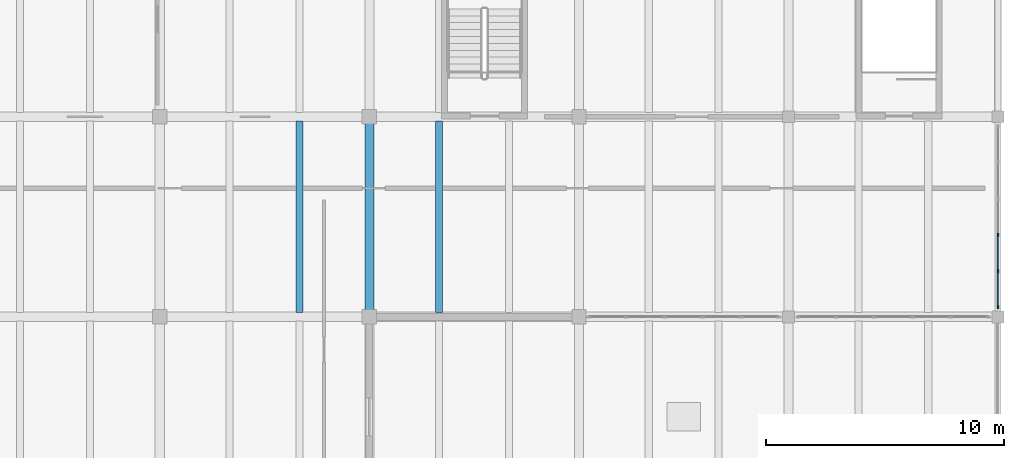
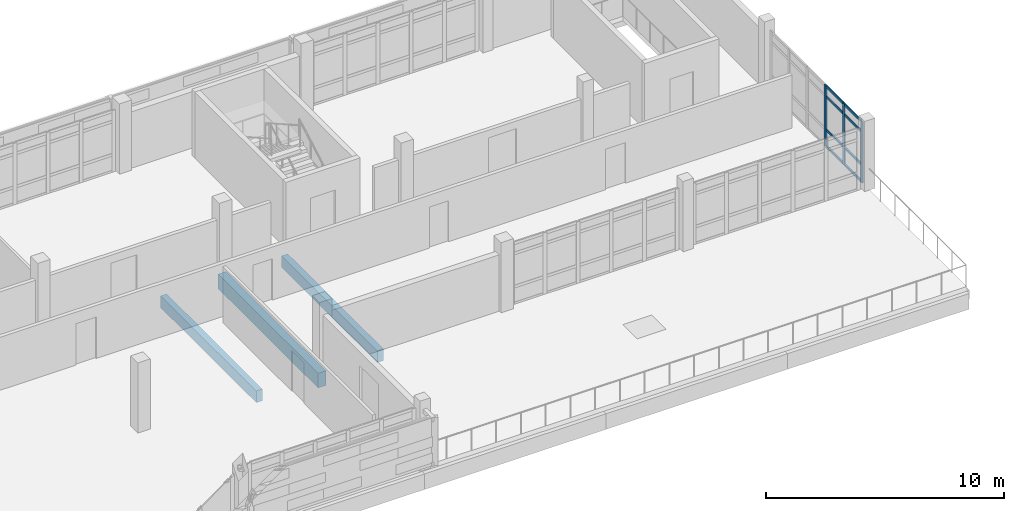
# One storey, part 30 of 50: 11 members, 3 beams, 1 element without a shape of its own.
"""IFC4 building model written with IfcOpenShell, lengths in metres."""

from ifc_helpers import new_model, si_unit, direction, frame, origin, origin_2d, place, context, subcontext, project, spatial, rectangle, extrude, material, material_profile, profile_set, type_object, element, aggregate, save


model = new_model("IFC4")

# Units and contexts
model_context = context("Model", 3, precision=1e-05, world=origin(), true_north=direction((0.0, 1.0)))
body_context = subcontext(model_context, "Body", "Model", "MODEL_VIEW")
ifc_project = project(units=[si_unit("LENGTHUNIT", "METRE"), si_unit("AREAUNIT", "SQUARE_METRE"), si_unit("VOLUMEUNIT", "CUBIC_METRE"), si_unit("PLANEANGLEUNIT", "RADIAN"), si_unit("MASSUNIT", "GRAM", prefix="KILO")], contexts=[model_context])

# Site, building, storey
site_placement = place(None, origin())
site = spatial("IfcSite", under=ifc_project, at=site_placement, CompositionType="ELEMENT")
building_placement = place(site_placement, origin())
building = spatial("IfcBuilding", under=site, at=building_placement, Name="Cinderway Yard Community Centre", CompositionType="ELEMENT")
storey_placement = place(building_placement, frame((0.0, 0.0, 12.89990234375)))
storey = spatial("IfcBuildingStorey", under=building, at=storey_placement, Name="L03", CompositionType="ELEMENT", Elevation=12.89990234375)

# Curtain wall, members
ifc_material_1 = material(Name="Aluminium 6063-T6", Category="aluminium")
curtain_wall_type = type_object("IfcCurtainWallType", Name="ENV-CW-TYPE-32", PredefinedType="USERDEFINED", material=ifc_material_1)
curtain_wall_placement = place(storey_placement, origin())
curtain_wall = element("IfcCurtainWall", 1, at=curtain_wall_placement, inside=storey, type_object=curtain_wall_type, Name="V4 East End Curtain Wall ENV-CW-L03-ST-0175", ObjectType="GLAZED CURTAIN WALL", PredefinedType="USERDEFINED")
ifc_material_profile_1 = material_profile(ifc_material_1, rectangle(XDim=0.06005859375, YDim=0.159912109375, at=origin_2d()), Name="Aluminium 6063-T6")
ifc_profile_set_1 = profile_set([ifc_material_profile_1], Name="Aluminium 6063-T6")
member_type_1 = type_object("IfcMemberType", Name="ENV-CW-MULL-150", PredefinedType="MULLION", material=ifc_profile_set_1)
member_1_placement = place(storey_placement, frame((136.800048828125, 98.81005859375, 0.0), z_axis=(0.0, 0.0, 1.0), x_axis=(-1.0, 0.0, 0.0)))
member_1 = element("IfcMember", 2, at=member_1_placement, type_object=member_type_1, Name="CW-32 mullion 1", PredefinedType="MULLION", context=body_context, shape_type="SweptSolid", body=[
    extrude(rectangle(XDim=0.06005859375, YDim=0.159912109375, at=origin_2d()), origin(), (0.0, 0.0, 1.0), 3.150146484375),
])
member_2_placement = place(storey_placement, frame((136.800048828125, 100.30810546875, 0.0), z_axis=(0.0, 0.0, 1.0), x_axis=(-1.0, 0.0, 0.0)))
member_2 = element("IfcMember", 3, at=member_2_placement, type_object=member_type_1, Name="CW-32 mullion 2", PredefinedType="MULLION", context=body_context, shape_type="SweptSolid", body=[
    extrude(rectangle(XDim=0.06005859375, YDim=0.159912109375, at=origin_2d()), origin(), (0.0, 0.0, 1.0), 3.150146484375),
])
member_3_placement = place(storey_placement, frame((136.800048828125, 101.8359375, 0.0), z_axis=(0.0, 0.0, 1.0), x_axis=(-1.0, 0.0, 0.0)))
member_3 = element("IfcMember", 4, at=member_3_placement, type_object=member_type_1, Name="CW-32 mullion 3", PredefinedType="MULLION", context=body_context, shape_type="SweptSolid", body=[
    extrude(rectangle(XDim=0.06005859375, YDim=0.159912109375, at=origin_2d()), origin(), (0.0, 0.0, 1.0), 3.150146484375),
])
ifc_material_profile_2 = material_profile(ifc_material_1, rectangle(XDim=0.06005859375, YDim=0.1201171875, at=origin_2d()), Name="Aluminium 6063-T6")
ifc_profile_set_2 = profile_set([ifc_material_profile_2], Name="Aluminium 6063-T6")
member_type_2 = type_object("IfcMemberType", Name="ENV-CW-TRAN-110", PredefinedType="USERDEFINED", material=ifc_profile_set_2)
member_4_placement = place(storey_placement, frame((136.800048828125, 98.840087890625, 0.030029296875), z_axis=(0.0, 1.0, 0.0), x_axis=(-1.0, 0.0, 0.0)))
member_4 = element("IfcMember", 5, at=member_4_placement, type_object=member_type_2, Name="CW-32 transom 1.1", ObjectType="TRANSOM", PredefinedType="USERDEFINED", context=body_context, shape_type="SweptSolid", body=[
    extrude(rectangle(XDim=0.06005859375, YDim=0.1201171875, at=origin_2d()), origin(), (0.0, 0.0, 1.0), 1.43798828125),
])
member_5_placement = place(storey_placement, frame((136.800048828125, 98.840087890625, 0.900146484375), z_axis=(0.0, 1.0, 0.0), x_axis=(-1.0, 0.0, 0.0)))
member_5 = element("IfcMember", 6, at=member_5_placement, type_object=member_type_2, Name="CW-32 transom 1.2", ObjectType="TRANSOM", PredefinedType="USERDEFINED", context=body_context, shape_type="SweptSolid", body=[
    extrude(rectangle(XDim=0.06005859375, YDim=0.1201171875, at=origin_2d()), origin(), (0.0, 0.0, 1.0), 1.43798828125),
])
member_6_placement = place(storey_placement, frame((136.800048828125, 98.840087890625, 2.60009765625), z_axis=(0.0, 1.0, 0.0), x_axis=(-1.0, 0.0, 0.0)))
member_6 = element("IfcMember", 7, at=member_6_placement, type_object=member_type_2, Name="CW-32 transom 1.3", ObjectType="TRANSOM", PredefinedType="USERDEFINED", context=body_context, shape_type="SweptSolid", body=[
    extrude(rectangle(XDim=0.06005859375, YDim=0.1201171875, at=origin_2d()), origin(), (0.0, 0.0, 1.0), 1.43798828125),
])
member_7_placement = place(storey_placement, frame((136.800048828125, 98.840087890625, 3.1201171875), z_axis=(0.0, 1.0, 0.0), x_axis=(-1.0, 0.0, 0.0)))
member_7 = element("IfcMember", 8, at=member_7_placement, type_object=member_type_2, Name="CW-32 transom 1.4", ObjectType="TRANSOM", PredefinedType="USERDEFINED", context=body_context, shape_type="SweptSolid", body=[
    extrude(rectangle(XDim=0.06005859375, YDim=0.1201171875, at=origin_2d()), origin(), (0.0, 0.0, 1.0), 1.43798828125),
])
member_8_placement = place(storey_placement, frame((136.800048828125, 100.337890625, 0.030029296875), z_axis=(0.0, 1.0, 0.0), x_axis=(-1.0, 0.0, 0.0)))
member_8 = element("IfcMember", 9, at=member_8_placement, type_object=member_type_2, Name="CW-32 transom 2.1", ObjectType="TRANSOM", PredefinedType="USERDEFINED", context=body_context, shape_type="SweptSolid", body=[
    extrude(rectangle(XDim=0.06005859375, YDim=0.1201171875, at=origin_2d()), origin(), (0.0, 0.0, 1.0), 1.468017578125),
])
member_9_placement = place(storey_placement, frame((136.800048828125, 100.337890625, 0.900146484375), z_axis=(0.0, 1.0, 0.0), x_axis=(-1.0, 0.0, 0.0)))
member_9 = element("IfcMember", 10, at=member_9_placement, type_object=member_type_2, Name="CW-32 transom 2.2", ObjectType="TRANSOM", PredefinedType="USERDEFINED", context=body_context, shape_type="SweptSolid", body=[
    extrude(rectangle(XDim=0.06005859375, YDim=0.1201171875, at=origin_2d()), origin(), (0.0, 0.0, 1.0), 1.468017578125),
])
member_10_placement = place(storey_placement, frame((136.800048828125, 100.337890625, 2.60009765625), z_axis=(0.0, 1.0, 0.0), x_axis=(-1.0, 0.0, 0.0)))
member_10 = element("IfcMember", 11, at=member_10_placement, type_object=member_type_2, Name="CW-32 transom 2.3", ObjectType="TRANSOM", PredefinedType="USERDEFINED", context=body_context, shape_type="SweptSolid", body=[
    extrude(rectangle(XDim=0.06005859375, YDim=0.1201171875, at=origin_2d()), origin(), (0.0, 0.0, 1.0), 1.468017578125),
])
member_11_placement = place(storey_placement, frame((136.800048828125, 100.337890625, 3.1201171875), z_axis=(0.0, 1.0, 0.0), x_axis=(-1.0, 0.0, 0.0)))
member_11 = element("IfcMember", 12, at=member_11_placement, type_object=member_type_2, Name="CW-32 transom 2.4", ObjectType="TRANSOM", PredefinedType="USERDEFINED", context=body_context, shape_type="SweptSolid", body=[
    extrude(rectangle(XDim=0.06005859375, YDim=0.1201171875, at=origin_2d()), origin(), (0.0, 0.0, 1.0), 1.468017578125),
])
aggregate(curtain_wall, [member_1, member_2, member_3, member_4, member_5, member_6, member_7, member_8, member_9, member_10, member_11])

# Beams
ifc_material_2 = material(Name="Concrete C35/45", Category="concrete")
ifc_material_profile_3 = material_profile(ifc_material_2, rectangle(XDim=0.300048828125, YDim=0.60009765625, at=origin_2d()), Name="Concrete C35/45")
ifc_profile_set_3 = profile_set([ifc_material_profile_3], Name="Concrete C35/45")
beam_type_1 = type_object("IfcBeamType", Name="STR-BM-RC300X600", PredefinedType="JOIST", material=ifc_profile_set_3)
for number, where, z_axis, x_axis, name in (
    (13, (107.467041015625, 98.58203125, -0.539794921875), (0.0, 1.0, 0.0), (-1.0, 0.0, 0.0), "Secondary joist STR-BM-L03-BJ02-0791"),
    (14, (113.3330078125, 98.58203125, -0.539794921875), (0.0, 1.0, 0.0), (-1.0, 0.0, 0.0), "Secondary joist STR-BM-L03-BJ02-0796"),
):
    element("IfcBeam", number, at=place(storey_placement, frame(where, z_axis=z_axis, x_axis=x_axis)), inside=storey, type_object=beam_type_1, Name=name, PredefinedType="JOIST", context=body_context, shape_type="SweptSolid", body=[
        extrude(rectangle(XDim=0.300048828125, YDim=0.60009765625, at=origin_2d()), origin(), (0.0, 0.0, 1.0), 8.035888671875),
    ])
ifc_material_profile_4 = material_profile(ifc_material_2, rectangle(XDim=0.3798828125, YDim=0.75, at=origin_2d()), Name="Concrete C35/45")
ifc_profile_set_4 = profile_set([ifc_material_profile_4], Name="Concrete C35/45")
beam_type_2 = type_object("IfcBeamType", Name="STR-BM-RC380X750", PredefinedType="BEAM", material=ifc_profile_set_4)
beam_placement = place(storey_placement, frame((110.39990234375, 98.39990234375, -0.614990234375), z_axis=(0.0, 1.0, 0.0), x_axis=(-1.0, 0.0, 0.0)))
element("IfcBeam", 15, at=beam_placement, inside=storey, type_object=beam_type_2, Name="Transverse girder STR-BM-L03-BG06-0739", PredefinedType="BEAM", context=body_context, shape_type="SweptSolid", body=[
    extrude(rectangle(XDim=0.3798828125, YDim=0.75, at=origin_2d()), origin(), (0.0, 0.0, 1.0), 8.400146484375),
])

save(model, "model.ifc")
